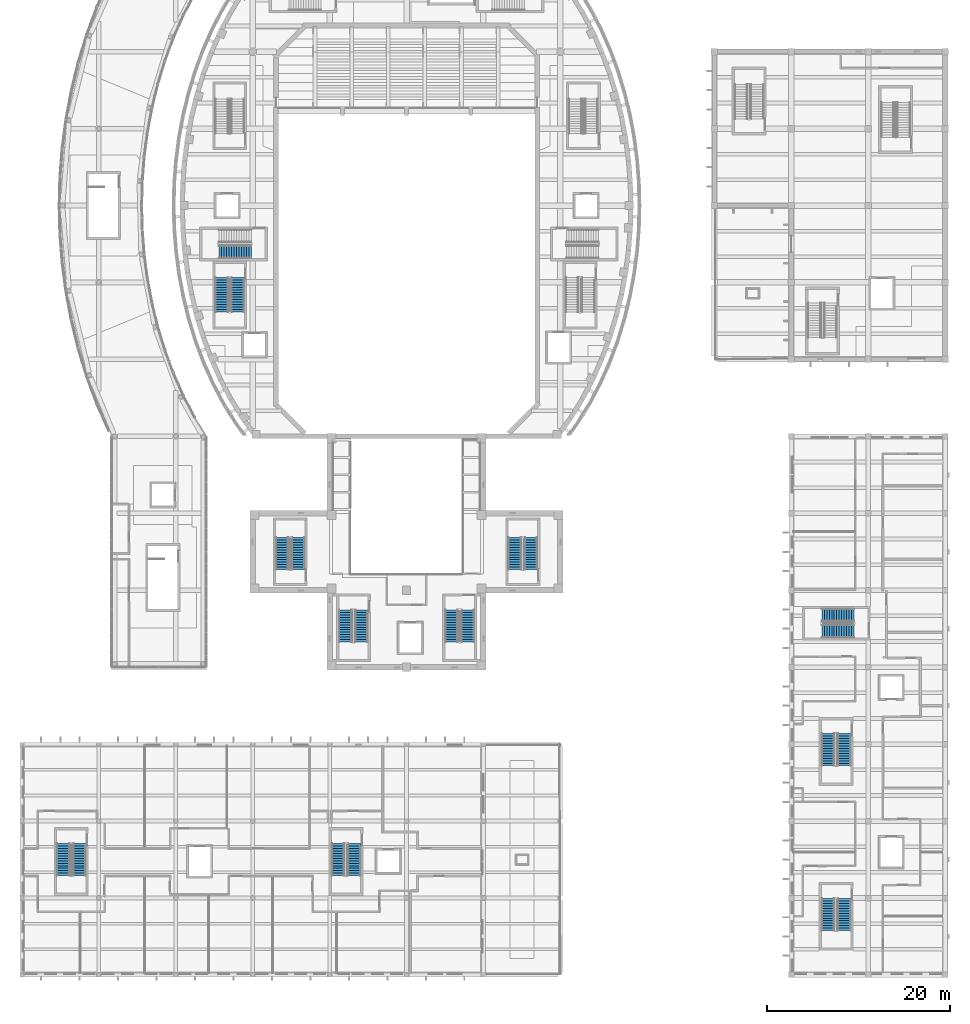
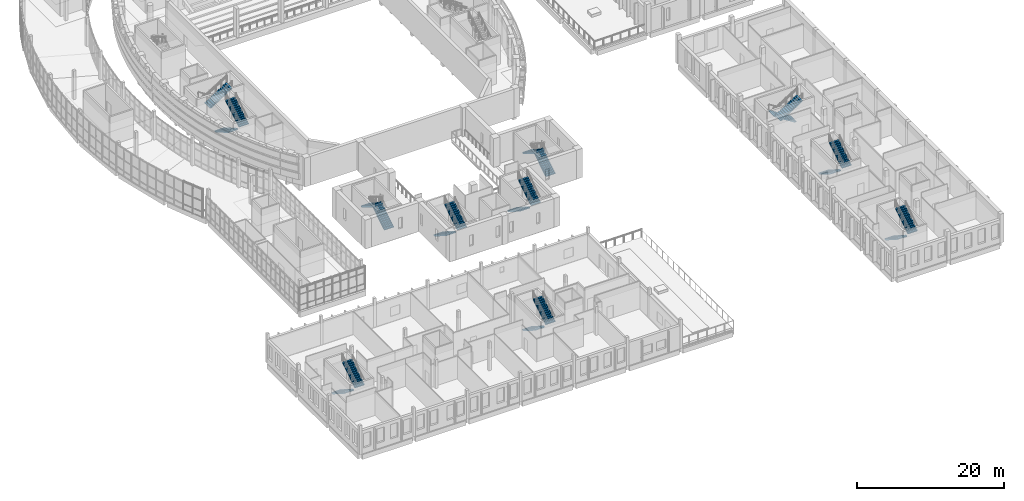
# One storey, part 64 of 103: 21 stair flights, 11 elements without a shape of their own.
"""IFC4 building model written with IfcOpenShell, lengths in metres."""

from ifc_helpers import new_model, si_unit, direction, frame, origin, place, context, subcontext, project, spatial, polyline, outline, extrude, material, type_object, element, aggregate, save


model = new_model("IFC4")

# Units and contexts
model_context = context("Model", 3, precision=1e-05, world=origin(), true_north=direction((0.0, 1.0)))
body_context = subcontext(model_context, "Body", "Model", "MODEL_VIEW")
ifc_project = project(units=[si_unit("LENGTHUNIT", "METRE"), si_unit("AREAUNIT", "SQUARE_METRE"), si_unit("VOLUMEUNIT", "CUBIC_METRE"), si_unit("PLANEANGLEUNIT", "RADIAN"), si_unit("MASSUNIT", "GRAM", prefix="KILO")], contexts=[model_context])

# Site, building, storey
site_placement = place(None, origin())
site = spatial("IfcSite", under=ifc_project, at=site_placement, CompositionType="ELEMENT")
building_placement = place(site_placement, origin())
building = spatial("IfcBuilding", under=site, at=building_placement, Name="Larchfold Concert Hall", CompositionType="ELEMENT")
storey_placement = place(building_placement, frame((0.0, 0.0, 9.60009765625)))
storey = spatial("IfcBuildingStorey", under=building, at=storey_placement, Name="L02", CompositionType="ELEMENT", Elevation=9.60009765625)

# Stair, stair flights
ifc_material_1 = material(Name="Concrete C35/45", Category="concrete")
stair_type = type_object("IfcStairType", Name="Stair RC half-turn enclosed", PredefinedType="HALF_TURN_STAIR", material=ifc_material_1)
stair_1_placement = place(storey_placement, origin())
stair_1 = element("IfcStair", 1, at=stair_1_placement, inside=storey, type_object=stair_type, Name="Stair DS5", PredefinedType="HALF_TURN_STAIR")
ifc_material_2 = material(Name="Concrete C35/45", Category="concrete")
stair_flight_type_1 = type_object("IfcStairFlightType", Name="Stair flight RC 1500 x 160.0", PredefinedType="STRAIGHT", material=ifc_material_2)
stair_flight_1_placement = place(storey_placement, frame((22.449951171875, 76.75, 0.0), z_axis=(0.0, 0.0, 1.0), x_axis=(0.0, -1.0, 0.0)))
stair_flight_1 = element("IfcStairFlight", 2, at=stair_flight_1_placement, type_object=stair_flight_type_1, Name="ST05 flight 1", NumberOfRisers=15, NumberOfTreads=14, PredefinedType="STRAIGHT", RiserHeight=0.16, TreadLength=0.27, context=body_context, shape_type="SweptSolid", body=[
    extrude(outline(polyline([(0.0, 0.0), (0.0, 0.159912109375), (0.27001953125, 0.159912109375), (0.27001953125, 0.320068359375), (0.5400390625, 0.320068359375), (0.5400390625, 0.47998046875), (0.81005859375, 0.47998046875), (0.81005859375, 0.639892578125), (1.080078125, 0.639892578125), (1.080078125, 0.800048828125), (1.35009765625, 0.800048828125), (1.35009765625, 0.9599609375), (1.6201171875, 0.9599609375), (1.6201171875, 1.1201171875), (1.889892578125, 1.1201171875), (1.889892578125, 1.280029296875), (2.159912109375, 1.280029296875), (2.159912109375, 1.43994140625), (2.429931640625, 1.43994140625), (2.429931640625, 1.60009765625), (2.699951171875, 1.60009765625), (2.699951171875, 1.760009765625), (2.969970703125, 1.760009765625), (2.969970703125, 1.919921875), (3.239990234375, 1.919921875), (3.239990234375, 2.080078125), (3.510009765625, 2.080078125), (3.510009765625, 2.239990234375), (3.780029296875, 2.239990234375), (3.780029296875, 2.39990234375), (3.780029296875, 2.065673828125), (0.2939453125, 0.0), (0.0, 0.0)])), frame((0.0, 0.75, 0.0), z_axis=(0.0, -1.0, 0.0), x_axis=(1.0, 0.0, 0.0)), (0.0, 0.0, 1.0), 1.5),
])
stair_flight_2_placement = place(storey_placement, frame((24.14990234375, 72.969970703125, 2.39990234375), z_axis=(0.0, 0.0, 1.0), x_axis=(0.0, 1.0, 0.0)))
stair_flight_2 = element("IfcStairFlight", 3, at=stair_flight_2_placement, type_object=stair_flight_type_1, Name="ST05 flight 2", NumberOfRisers=15, NumberOfTreads=14, PredefinedType="STRAIGHT", RiserHeight=0.16, TreadLength=0.27, context=body_context, shape_type="SweptSolid", body=[
    extrude(outline(polyline([(0.0, 0.0), (0.0, 0.159912109375), (0.27001953125, 0.159912109375), (0.27001953125, 0.320068359375), (0.5400390625, 0.320068359375), (0.5400390625, 0.47998046875), (0.81005859375, 0.47998046875), (0.81005859375, 0.639892578125), (1.080078125, 0.639892578125), (1.080078125, 0.800048828125), (1.35009765625, 0.800048828125), (1.35009765625, 0.9599609375), (1.6201171875, 0.9599609375), (1.6201171875, 1.1201171875), (1.889892578125, 1.1201171875), (1.889892578125, 1.280029296875), (2.159912109375, 1.280029296875), (2.159912109375, 1.43994140625), (2.429931640625, 1.43994140625), (2.429931640625, 1.60009765625), (2.699951171875, 1.60009765625), (2.699951171875, 1.760009765625), (2.969970703125, 1.760009765625), (2.969970703125, 1.919921875), (3.239990234375, 1.919921875), (3.239990234375, 2.080078125), (3.510009765625, 2.080078125), (3.510009765625, 2.239990234375), (3.780029296875, 2.239990234375), (3.780029296875, 2.39990234375), (3.780029296875, 2.065673828125), (0.2939453125, 0.0), (0.0, 0.0)])), frame((0.0, 0.75, 0.0), z_axis=(0.0, -1.0, 0.0), x_axis=(1.0, 0.0, 0.0)), (0.0, 0.0, 1.0), 1.5),
])
aggregate(stair_1, [stair_flight_1, stair_flight_2])

# Stair, stair flight
stair_2_placement = place(storey_placement, origin())
stair_2 = element("IfcStair", 4, at=stair_2_placement, inside=storey, type_object=stair_type, Name="Stair DS7", PredefinedType="HALF_TURN_STAIR")
ifc_material_3 = material(Name="Concrete C35/45", Category="concrete")
stair_flight_type_2 = type_object("IfcStairFlightType", Name="Stair flight RC 1500 x 171.4", PredefinedType="STRAIGHT", material=ifc_material_3)
stair_flight_3_placement = place(storey_placement, frame((22.139892578125, 79.550048828125, 2.39990234375), z_axis=(0.0, 0.0, 1.0), x_axis=(1.0, 0.0, 0.0)))
stair_flight_3 = element("IfcStairFlight", 5, at=stair_flight_3_placement, type_object=stair_flight_type_2, Name="ST07 flight 2", NumberOfRisers=14, NumberOfTreads=13, PredefinedType="STRAIGHT", RiserHeight=0.171428571, TreadLength=0.27, context=body_context, shape_type="SweptSolid", body=[
    extrude(outline(polyline([(0.0, 0.0), (0.0, 0.17138671875), (0.27001953125, 0.17138671875), (0.27001953125, 0.3427734375), (0.5400390625, 0.3427734375), (0.5400390625, 0.514404296875), (0.81005859375, 0.514404296875), (0.81005859375, 0.685791015625), (1.080078125, 0.685791015625), (1.080078125, 0.857177734375), (1.35009765625, 0.857177734375), (1.35009765625, 1.028564453125), (1.6201171875, 1.028564453125), (1.6201171875, 1.199951171875), (1.889892578125, 1.199951171875), (1.889892578125, 1.371337890625), (2.159912109375, 1.371337890625), (2.159912109375, 1.54296875), (2.429931640625, 1.54296875), (2.429931640625, 1.71435546875), (2.699951171875, 1.71435546875), (2.699951171875, 1.8857421875), (2.969970703125, 1.8857421875), (2.969970703125, 2.05712890625), (3.239990234375, 2.05712890625), (3.239990234375, 2.228515625), (3.510009765625, 2.228515625), (3.510009765625, 2.39990234375), (3.510009765625, 2.051025390625), (0.27978515625, 0.0), (0.0, 0.0)])), frame((0.0, 0.75, 0.0), z_axis=(0.0, -1.0, 0.0), x_axis=(1.0, 0.0, 0.0)), (0.0, 0.0, 1.0), 1.5),
])
aggregate(stair_2, [stair_flight_3])

# Stair, stair flights
stair_3_placement = place(storey_placement, origin())
stair_3 = element("IfcStair", 6, at=stair_3_placement, inside=storey, type_object=stair_type, Name="Stair SH1", PredefinedType="HALF_TURN_STAIR")
stair_flight_4_placement = place(storey_placement, frame((30.75, 44.85009765625, 0.0), z_axis=(0.0, 0.0, 1.0), x_axis=(0.0, 1.0, 0.0)))
stair_flight_4 = element("IfcStairFlight", 7, at=stair_flight_4_placement, type_object=stair_flight_type_2, Name="ST09 flight 1", NumberOfRisers=14, NumberOfTreads=13, PredefinedType="STRAIGHT", RiserHeight=0.171428571, TreadLength=0.27, context=body_context, shape_type="SweptSolid", body=[
    extrude(outline(polyline([(0.0, 0.0), (0.0, 0.17138671875), (0.27001953125, 0.17138671875), (0.27001953125, 0.3427734375), (0.5400390625, 0.3427734375), (0.5400390625, 0.514404296875), (0.81005859375, 0.514404296875), (0.81005859375, 0.685791015625), (1.080078125, 0.685791015625), (1.080078125, 0.857177734375), (1.35009765625, 0.857177734375), (1.35009765625, 1.028564453125), (1.6201171875, 1.028564453125), (1.6201171875, 1.199951171875), (1.889892578125, 1.199951171875), (1.889892578125, 1.371337890625), (2.159912109375, 1.371337890625), (2.159912109375, 1.54296875), (2.429931640625, 1.54296875), (2.429931640625, 1.71435546875), (2.699951171875, 1.71435546875), (2.699951171875, 1.8857421875), (2.969970703125, 1.8857421875), (2.969970703125, 2.05712890625), (3.239990234375, 2.05712890625), (3.239990234375, 2.228515625), (3.510009765625, 2.228515625), (3.510009765625, 2.39990234375), (3.510009765625, 2.051025390625), (0.27978515625, 0.0), (0.0, 0.0)])), frame((0.0, 0.75, 0.0), z_axis=(0.0, -1.0, 0.0), x_axis=(1.0, 0.0, 0.0)), (0.0, 0.0, 1.0), 1.5),
])
stair_flight_5_placement = place(storey_placement, frame((29.050048828125, 48.360107421875, 2.39990234375), z_axis=(0.0, 0.0, 1.0), x_axis=(0.0, -1.0, 0.0)))
stair_flight_5 = element("IfcStairFlight", 8, at=stair_flight_5_placement, type_object=stair_flight_type_2, Name="ST09 flight 2", NumberOfRisers=14, NumberOfTreads=13, PredefinedType="STRAIGHT", RiserHeight=0.171428571, TreadLength=0.27, context=body_context, shape_type="SweptSolid", body=[
    extrude(outline(polyline([(0.0, 0.0), (0.0, 0.17138671875), (0.27001953125, 0.17138671875), (0.27001953125, 0.3427734375), (0.5400390625, 0.3427734375), (0.5400390625, 0.514404296875), (0.81005859375, 0.514404296875), (0.81005859375, 0.685791015625), (1.080078125, 0.685791015625), (1.080078125, 0.857177734375), (1.35009765625, 0.857177734375), (1.35009765625, 1.028564453125), (1.6201171875, 1.028564453125), (1.6201171875, 1.199951171875), (1.889892578125, 1.199951171875), (1.889892578125, 1.371337890625), (2.159912109375, 1.371337890625), (2.159912109375, 1.54296875), (2.429931640625, 1.54296875), (2.429931640625, 1.71435546875), (2.699951171875, 1.71435546875), (2.699951171875, 1.8857421875), (2.969970703125, 1.8857421875), (2.969970703125, 2.05712890625), (3.239990234375, 2.05712890625), (3.239990234375, 2.228515625), (3.510009765625, 2.228515625), (3.510009765625, 2.39990234375), (3.510009765625, 2.051025390625), (0.27978515625, 0.0), (0.0, 0.0)])), frame((0.0, 0.75, 0.0), z_axis=(0.0, -1.0, 0.0), x_axis=(1.0, 0.0, 0.0)), (0.0, 0.0, 1.0), 1.5),
])
aggregate(stair_3, [stair_flight_4, stair_flight_5])

stair_4_placement = place(storey_placement, origin())
stair_4 = element("IfcStair", 9, at=stair_4_placement, inside=storey, type_object=stair_type, Name="Stair SH2", PredefinedType="HALF_TURN_STAIR")
stair_flight_6_placement = place(storey_placement, frame((56.14990234375, 44.85009765625, 0.0), z_axis=(0.0, 0.0, 1.0), x_axis=(0.0, 1.0, 0.0)))
stair_flight_6 = element("IfcStairFlight", 10, at=stair_flight_6_placement, type_object=stair_flight_type_2, Name="ST10 flight 1", NumberOfRisers=14, NumberOfTreads=13, PredefinedType="STRAIGHT", RiserHeight=0.171428571, TreadLength=0.27, context=body_context, shape_type="SweptSolid", body=[
    extrude(outline(polyline([(0.0, 0.0), (0.0, 0.17138671875), (0.27001953125, 0.17138671875), (0.27001953125, 0.3427734375), (0.5400390625, 0.3427734375), (0.5400390625, 0.514404296875), (0.81005859375, 0.514404296875), (0.81005859375, 0.685791015625), (1.080078125, 0.685791015625), (1.080078125, 0.857177734375), (1.35009765625, 0.857177734375), (1.35009765625, 1.028564453125), (1.6201171875, 1.028564453125), (1.6201171875, 1.199951171875), (1.889892578125, 1.199951171875), (1.889892578125, 1.371337890625), (2.159912109375, 1.371337890625), (2.159912109375, 1.54296875), (2.429931640625, 1.54296875), (2.429931640625, 1.71435546875), (2.699951171875, 1.71435546875), (2.699951171875, 1.8857421875), (2.969970703125, 1.8857421875), (2.969970703125, 2.05712890625), (3.239990234375, 2.05712890625), (3.239990234375, 2.228515625), (3.510009765625, 2.228515625), (3.510009765625, 2.39990234375), (3.510009765625, 2.051025390625), (0.27978515625, 0.0), (0.0, 0.0)])), frame((0.0, 0.75, 0.0), z_axis=(0.0, -1.0, 0.0), x_axis=(1.0, 0.0, 0.0)), (0.0, 0.0, 1.0), 1.5),
])
stair_flight_7_placement = place(storey_placement, frame((54.449951171875, 48.360107421875, 2.39990234375), z_axis=(0.0, 0.0, 1.0), x_axis=(0.0, -1.0, 0.0)))
stair_flight_7 = element("IfcStairFlight", 11, at=stair_flight_7_placement, type_object=stair_flight_type_2, Name="ST10 flight 2", NumberOfRisers=14, NumberOfTreads=13, PredefinedType="STRAIGHT", RiserHeight=0.171428571, TreadLength=0.27, context=body_context, shape_type="SweptSolid", body=[
    extrude(outline(polyline([(0.0, 0.0), (0.0, 0.17138671875), (0.27001953125, 0.17138671875), (0.27001953125, 0.3427734375), (0.5400390625, 0.3427734375), (0.5400390625, 0.514404296875), (0.81005859375, 0.514404296875), (0.81005859375, 0.685791015625), (1.080078125, 0.685791015625), (1.080078125, 0.857177734375), (1.35009765625, 0.857177734375), (1.35009765625, 1.028564453125), (1.6201171875, 1.028564453125), (1.6201171875, 1.199951171875), (1.889892578125, 1.199951171875), (1.889892578125, 1.371337890625), (2.159912109375, 1.371337890625), (2.159912109375, 1.54296875), (2.429931640625, 1.54296875), (2.429931640625, 1.71435546875), (2.699951171875, 1.71435546875), (2.699951171875, 1.8857421875), (2.969970703125, 1.8857421875), (2.969970703125, 2.05712890625), (3.239990234375, 2.05712890625), (3.239990234375, 2.228515625), (3.510009765625, 2.228515625), (3.510009765625, 2.39990234375), (3.510009765625, 2.051025390625), (0.27978515625, 0.0), (0.0, 0.0)])), frame((0.0, 0.75, 0.0), z_axis=(0.0, -1.0, 0.0), x_axis=(1.0, 0.0, 0.0)), (0.0, 0.0, 1.0), 1.5),
])
aggregate(stair_4, [stair_flight_6, stair_flight_7])

stair_5_placement = place(storey_placement, origin())
stair_5 = element("IfcStair", 12, at=stair_5_placement, inside=storey, type_object=stair_type, Name="Stair SH3", PredefinedType="HALF_TURN_STAIR")
stair_flight_8_placement = place(storey_placement, frame((35.949951171875, 40.449951171875, 0.0), z_axis=(0.0, 0.0, 1.0), x_axis=(0.0, -1.0, 0.0)))
stair_flight_8 = element("IfcStairFlight", 13, at=stair_flight_8_placement, type_object=stair_flight_type_2, Name="ST11 flight 1", NumberOfRisers=14, NumberOfTreads=13, PredefinedType="STRAIGHT", RiserHeight=0.171428571, TreadLength=0.27, context=body_context, shape_type="SweptSolid", body=[
    extrude(outline(polyline([(0.0, 0.0), (0.0, 0.17138671875), (0.27001953125, 0.17138671875), (0.27001953125, 0.3427734375), (0.5400390625, 0.3427734375), (0.5400390625, 0.514404296875), (0.81005859375, 0.514404296875), (0.81005859375, 0.685791015625), (1.080078125, 0.685791015625), (1.080078125, 0.857177734375), (1.35009765625, 0.857177734375), (1.35009765625, 1.028564453125), (1.6201171875, 1.028564453125), (1.6201171875, 1.199951171875), (1.889892578125, 1.199951171875), (1.889892578125, 1.371337890625), (2.159912109375, 1.371337890625), (2.159912109375, 1.54296875), (2.429931640625, 1.54296875), (2.429931640625, 1.71435546875), (2.699951171875, 1.71435546875), (2.699951171875, 1.8857421875), (2.969970703125, 1.8857421875), (2.969970703125, 2.05712890625), (3.239990234375, 2.05712890625), (3.239990234375, 2.228515625), (3.510009765625, 2.228515625), (3.510009765625, 2.39990234375), (3.510009765625, 2.051025390625), (0.27978515625, 0.0), (0.0, 0.0)])), frame((0.0, 0.75, 0.0), z_axis=(0.0, -1.0, 0.0), x_axis=(1.0, 0.0, 0.0)), (0.0, 0.0, 1.0), 1.5),
])
stair_flight_9_placement = place(storey_placement, frame((37.64990234375, 36.93994140625, 2.39990234375), z_axis=(0.0, 0.0, 1.0), x_axis=(0.0, 1.0, 0.0)))
stair_flight_9 = element("IfcStairFlight", 14, at=stair_flight_9_placement, type_object=stair_flight_type_2, Name="ST11 flight 2", NumberOfRisers=14, NumberOfTreads=13, PredefinedType="STRAIGHT", RiserHeight=0.171428571, TreadLength=0.27, context=body_context, shape_type="SweptSolid", body=[
    extrude(outline(polyline([(0.0, 0.0), (0.0, 0.17138671875), (0.27001953125, 0.17138671875), (0.27001953125, 0.3427734375), (0.5400390625, 0.3427734375), (0.5400390625, 0.514404296875), (0.81005859375, 0.514404296875), (0.81005859375, 0.685791015625), (1.080078125, 0.685791015625), (1.080078125, 0.857177734375), (1.35009765625, 0.857177734375), (1.35009765625, 1.028564453125), (1.6201171875, 1.028564453125), (1.6201171875, 1.199951171875), (1.889892578125, 1.199951171875), (1.889892578125, 1.371337890625), (2.159912109375, 1.371337890625), (2.159912109375, 1.54296875), (2.429931640625, 1.54296875), (2.429931640625, 1.71435546875), (2.699951171875, 1.71435546875), (2.699951171875, 1.8857421875), (2.969970703125, 1.8857421875), (2.969970703125, 2.05712890625), (3.239990234375, 2.05712890625), (3.239990234375, 2.228515625), (3.510009765625, 2.228515625), (3.510009765625, 2.39990234375), (3.510009765625, 2.051025390625), (0.27978515625, 0.0), (0.0, 0.0)])), frame((0.0, 0.75, 0.0), z_axis=(0.0, -1.0, 0.0), x_axis=(1.0, 0.0, 0.0)), (0.0, 0.0, 1.0), 1.5),
])
aggregate(stair_5, [stair_flight_8, stair_flight_9])

stair_6_placement = place(storey_placement, origin())
stair_6 = element("IfcStair", 15, at=stair_6_placement, inside=storey, type_object=stair_type, Name="Stair SH4", PredefinedType="HALF_TURN_STAIR")
stair_flight_10_placement = place(storey_placement, frame((47.550048828125, 40.449951171875, 0.0), z_axis=(0.0, 0.0, 1.0), x_axis=(0.0, -1.0, 0.0)))
stair_flight_10 = element("IfcStairFlight", 16, at=stair_flight_10_placement, type_object=stair_flight_type_2, Name="ST12 flight 1", NumberOfRisers=14, NumberOfTreads=13, PredefinedType="STRAIGHT", RiserHeight=0.171428571, TreadLength=0.27, context=body_context, shape_type="SweptSolid", body=[
    extrude(outline(polyline([(0.0, 0.0), (0.0, 0.17138671875), (0.27001953125, 0.17138671875), (0.27001953125, 0.3427734375), (0.5400390625, 0.3427734375), (0.5400390625, 0.514404296875), (0.81005859375, 0.514404296875), (0.81005859375, 0.685791015625), (1.080078125, 0.685791015625), (1.080078125, 0.857177734375), (1.35009765625, 0.857177734375), (1.35009765625, 1.028564453125), (1.6201171875, 1.028564453125), (1.6201171875, 1.199951171875), (1.889892578125, 1.199951171875), (1.889892578125, 1.371337890625), (2.159912109375, 1.371337890625), (2.159912109375, 1.54296875), (2.429931640625, 1.54296875), (2.429931640625, 1.71435546875), (2.699951171875, 1.71435546875), (2.699951171875, 1.8857421875), (2.969970703125, 1.8857421875), (2.969970703125, 2.05712890625), (3.239990234375, 2.05712890625), (3.239990234375, 2.228515625), (3.510009765625, 2.228515625), (3.510009765625, 2.39990234375), (3.510009765625, 2.051025390625), (0.27978515625, 0.0), (0.0, 0.0)])), frame((0.0, 0.75, 0.0), z_axis=(0.0, -1.0, 0.0), x_axis=(1.0, 0.0, 0.0)), (0.0, 0.0, 1.0), 1.5),
])
stair_flight_11_placement = place(storey_placement, frame((49.25, 36.93994140625, 2.39990234375), z_axis=(0.0, 0.0, 1.0), x_axis=(0.0, 1.0, 0.0)))
stair_flight_11 = element("IfcStairFlight", 17, at=stair_flight_11_placement, type_object=stair_flight_type_2, Name="ST12 flight 2", NumberOfRisers=14, NumberOfTreads=13, PredefinedType="STRAIGHT", RiserHeight=0.171428571, TreadLength=0.27, context=body_context, shape_type="SweptSolid", body=[
    extrude(outline(polyline([(0.0, 0.0), (0.0, 0.17138671875), (0.27001953125, 0.17138671875), (0.27001953125, 0.3427734375), (0.5400390625, 0.3427734375), (0.5400390625, 0.514404296875), (0.81005859375, 0.514404296875), (0.81005859375, 0.685791015625), (1.080078125, 0.685791015625), (1.080078125, 0.857177734375), (1.35009765625, 0.857177734375), (1.35009765625, 1.028564453125), (1.6201171875, 1.028564453125), (1.6201171875, 1.199951171875), (1.889892578125, 1.199951171875), (1.889892578125, 1.371337890625), (2.159912109375, 1.371337890625), (2.159912109375, 1.54296875), (2.429931640625, 1.54296875), (2.429931640625, 1.71435546875), (2.699951171875, 1.71435546875), (2.699951171875, 1.8857421875), (2.969970703125, 1.8857421875), (2.969970703125, 2.05712890625), (3.239990234375, 2.05712890625), (3.239990234375, 2.228515625), (3.510009765625, 2.228515625), (3.510009765625, 2.39990234375), (3.510009765625, 2.051025390625), (0.27978515625, 0.0), (0.0, 0.0)])), frame((0.0, 0.75, 0.0), z_axis=(0.0, -1.0, 0.0), x_axis=(1.0, 0.0, 0.0)), (0.0, 0.0, 1.0), 1.5),
])
aggregate(stair_6, [stair_flight_10, stair_flight_11])

stair_7_placement = place(storey_placement, origin())
stair_7 = element("IfcStair", 18, at=stair_7_placement, inside=storey, type_object=stair_type, Name="Stair AW1", PredefinedType="HALF_TURN_STAIR")
stair_flight_12_placement = place(storey_placement, frame((88.64990234375, 8.949951171875, 0.0), z_axis=(0.0, 0.0, 1.0), x_axis=(0.0, -1.0, 0.0)))
stair_flight_12 = element("IfcStairFlight", 19, at=stair_flight_12_placement, type_object=stair_flight_type_2, Name="ST13 flight 1", NumberOfRisers=14, NumberOfTreads=13, PredefinedType="STRAIGHT", RiserHeight=0.171428571, TreadLength=0.27, context=body_context, shape_type="SweptSolid", body=[
    extrude(outline(polyline([(0.0, 0.0), (0.0, 0.17138671875), (0.27001953125, 0.17138671875), (0.27001953125, 0.3427734375), (0.5400390625, 0.3427734375), (0.5400390625, 0.514404296875), (0.81005859375, 0.514404296875), (0.81005859375, 0.685791015625), (1.080078125, 0.685791015625), (1.080078125, 0.857177734375), (1.35009765625, 0.857177734375), (1.35009765625, 1.028564453125), (1.6201171875, 1.028564453125), (1.6201171875, 1.199951171875), (1.889892578125, 1.199951171875), (1.889892578125, 1.371337890625), (2.159912109375, 1.371337890625), (2.159912109375, 1.54296875), (2.429931640625, 1.54296875), (2.429931640625, 1.71435546875), (2.699951171875, 1.71435546875), (2.699951171875, 1.8857421875), (2.969970703125, 1.8857421875), (2.969970703125, 2.05712890625), (3.239990234375, 2.05712890625), (3.239990234375, 2.228515625), (3.510009765625, 2.228515625), (3.510009765625, 2.39990234375), (3.510009765625, 2.051025390625), (0.27978515625, 0.0), (0.0, 0.0)])), frame((0.0, 0.75, 0.0), z_axis=(0.0, -1.0, 0.0), x_axis=(1.0, 0.0, 0.0)), (0.0, 0.0, 1.0), 1.5),
])
stair_flight_13_placement = place(storey_placement, frame((90.349853515625, 5.43994140625, 2.39990234375), z_axis=(0.0, 0.0, 1.0), x_axis=(0.0, 1.0, 0.0)))
stair_flight_13 = element("IfcStairFlight", 20, at=stair_flight_13_placement, type_object=stair_flight_type_2, Name="ST13 flight 2", NumberOfRisers=14, NumberOfTreads=13, PredefinedType="STRAIGHT", RiserHeight=0.171428571, TreadLength=0.27, context=body_context, shape_type="SweptSolid", body=[
    extrude(outline(polyline([(0.0, 0.0), (0.0, 0.17138671875), (0.27001953125, 0.17138671875), (0.27001953125, 0.3427734375), (0.5400390625, 0.3427734375), (0.5400390625, 0.514404296875), (0.81005859375, 0.514404296875), (0.81005859375, 0.685791015625), (1.080078125, 0.685791015625), (1.080078125, 0.857177734375), (1.35009765625, 0.857177734375), (1.35009765625, 1.028564453125), (1.6201171875, 1.028564453125), (1.6201171875, 1.199951171875), (1.889892578125, 1.199951171875), (1.889892578125, 1.371337890625), (2.159912109375, 1.371337890625), (2.159912109375, 1.54296875), (2.429931640625, 1.54296875), (2.429931640625, 1.71435546875), (2.699951171875, 1.71435546875), (2.699951171875, 1.8857421875), (2.969970703125, 1.8857421875), (2.969970703125, 2.05712890625), (3.239990234375, 2.05712890625), (3.239990234375, 2.228515625), (3.510009765625, 2.228515625), (3.510009765625, 2.39990234375), (3.510009765625, 2.051025390625), (0.27978515625, 0.0), (0.0, 0.0)])), frame((0.0, 0.75, 0.0), z_axis=(0.0, -1.0, 0.0), x_axis=(1.0, 0.0, 0.0)), (0.0, 0.0, 1.0), 1.5),
])
aggregate(stair_7, [stair_flight_12, stair_flight_13])

stair_8_placement = place(storey_placement, origin())
stair_8 = element("IfcStair", 21, at=stair_8_placement, inside=storey, type_object=stair_type, Name="Stair AW2", PredefinedType="HALF_TURN_STAIR")
stair_flight_14_placement = place(storey_placement, frame((88.64990234375, 26.949951171875, 0.0), z_axis=(0.0, 0.0, 1.0), x_axis=(0.0, -1.0, 0.0)))
stair_flight_14 = element("IfcStairFlight", 22, at=stair_flight_14_placement, type_object=stair_flight_type_2, Name="ST14 flight 1", NumberOfRisers=14, NumberOfTreads=13, PredefinedType="STRAIGHT", RiserHeight=0.171428571, TreadLength=0.27, context=body_context, shape_type="SweptSolid", body=[
    extrude(outline(polyline([(0.0, 0.0), (0.0, 0.17138671875), (0.27001953125, 0.17138671875), (0.27001953125, 0.3427734375), (0.5400390625, 0.3427734375), (0.5400390625, 0.514404296875), (0.81005859375, 0.514404296875), (0.81005859375, 0.685791015625), (1.080078125, 0.685791015625), (1.080078125, 0.857177734375), (1.35009765625, 0.857177734375), (1.35009765625, 1.028564453125), (1.6201171875, 1.028564453125), (1.6201171875, 1.199951171875), (1.889892578125, 1.199951171875), (1.889892578125, 1.371337890625), (2.159912109375, 1.371337890625), (2.159912109375, 1.54296875), (2.429931640625, 1.54296875), (2.429931640625, 1.71435546875), (2.699951171875, 1.71435546875), (2.699951171875, 1.8857421875), (2.969970703125, 1.8857421875), (2.969970703125, 2.05712890625), (3.239990234375, 2.05712890625), (3.239990234375, 2.228515625), (3.510009765625, 2.228515625), (3.510009765625, 2.39990234375), (3.510009765625, 2.051025390625), (0.27978515625, 0.0), (0.0, 0.0)])), frame((0.0, 0.75, 0.0), z_axis=(0.0, -1.0, 0.0), x_axis=(1.0, 0.0, 0.0)), (0.0, 0.0, 1.0), 1.5),
])
stair_flight_15_placement = place(storey_placement, frame((90.349853515625, 23.43994140625, 2.39990234375), z_axis=(0.0, 0.0, 1.0), x_axis=(0.0, 1.0, 0.0)))
stair_flight_15 = element("IfcStairFlight", 23, at=stair_flight_15_placement, type_object=stair_flight_type_2, Name="ST14 flight 2", NumberOfRisers=14, NumberOfTreads=13, PredefinedType="STRAIGHT", RiserHeight=0.171428571, TreadLength=0.27, context=body_context, shape_type="SweptSolid", body=[
    extrude(outline(polyline([(0.0, 0.0), (0.0, 0.17138671875), (0.27001953125, 0.17138671875), (0.27001953125, 0.3427734375), (0.5400390625, 0.3427734375), (0.5400390625, 0.514404296875), (0.81005859375, 0.514404296875), (0.81005859375, 0.685791015625), (1.080078125, 0.685791015625), (1.080078125, 0.857177734375), (1.35009765625, 0.857177734375), (1.35009765625, 1.028564453125), (1.6201171875, 1.028564453125), (1.6201171875, 1.199951171875), (1.889892578125, 1.199951171875), (1.889892578125, 1.371337890625), (2.159912109375, 1.371337890625), (2.159912109375, 1.54296875), (2.429931640625, 1.54296875), (2.429931640625, 1.71435546875), (2.699951171875, 1.71435546875), (2.699951171875, 1.8857421875), (2.969970703125, 1.8857421875), (2.969970703125, 2.05712890625), (3.239990234375, 2.05712890625), (3.239990234375, 2.228515625), (3.510009765625, 2.228515625), (3.510009765625, 2.39990234375), (3.510009765625, 2.051025390625), (0.27978515625, 0.0), (0.0, 0.0)])), frame((0.0, 0.75, 0.0), z_axis=(0.0, -1.0, 0.0), x_axis=(1.0, 0.0, 0.0)), (0.0, 0.0, 1.0), 1.5),
])
aggregate(stair_8, [stair_flight_14, stair_flight_15])

stair_9_placement = place(storey_placement, origin())
stair_9 = element("IfcStair", 24, at=stair_9_placement, inside=storey, type_object=stair_type, Name="Stair AW3", PredefinedType="HALF_TURN_STAIR")
stair_flight_16_placement = place(storey_placement, frame((91.449951171875, 39.85009765625, 0.0), z_axis=(0.0, 0.0, 1.0), x_axis=(-1.0, 0.0, 0.0)))
stair_flight_16 = element("IfcStairFlight", 25, at=stair_flight_16_placement, type_object=stair_flight_type_2, Name="ST15 flight 1", NumberOfRisers=14, NumberOfTreads=13, PredefinedType="STRAIGHT", RiserHeight=0.171428571, TreadLength=0.27, context=body_context, shape_type="SweptSolid", body=[
    extrude(outline(polyline([(0.0, 0.0), (0.0, 0.17138671875), (0.27001953125, 0.17138671875), (0.27001953125, 0.3427734375), (0.5400390625, 0.3427734375), (0.5400390625, 0.514404296875), (0.81005859375, 0.514404296875), (0.81005859375, 0.685791015625), (1.080078125, 0.685791015625), (1.080078125, 0.857177734375), (1.35009765625, 0.857177734375), (1.35009765625, 1.028564453125), (1.6201171875, 1.028564453125), (1.6201171875, 1.199951171875), (1.889892578125, 1.199951171875), (1.889892578125, 1.371337890625), (2.159912109375, 1.371337890625), (2.159912109375, 1.54296875), (2.429931640625, 1.54296875), (2.429931640625, 1.71435546875), (2.699951171875, 1.71435546875), (2.699951171875, 1.8857421875), (2.969970703125, 1.8857421875), (2.969970703125, 2.05712890625), (3.239990234375, 2.05712890625), (3.239990234375, 2.228515625), (3.510009765625, 2.228515625), (3.510009765625, 2.39990234375), (3.510009765625, 2.051025390625), (0.27978515625, 0.0), (0.0, 0.0)])), frame((0.0, 0.75, 0.0), z_axis=(0.0, -1.0, 0.0), x_axis=(1.0, 0.0, 0.0)), (0.0, 0.0, 1.0), 1.5),
])
stair_flight_17_placement = place(storey_placement, frame((87.93994140625, 38.150146484375, 2.39990234375), z_axis=(0.0, 0.0, 1.0), x_axis=(1.0, 0.0, 0.0)))
stair_flight_17 = element("IfcStairFlight", 26, at=stair_flight_17_placement, type_object=stair_flight_type_2, Name="ST15 flight 2", NumberOfRisers=14, NumberOfTreads=13, PredefinedType="STRAIGHT", RiserHeight=0.171428571, TreadLength=0.27, context=body_context, shape_type="SweptSolid", body=[
    extrude(outline(polyline([(0.0, 0.0), (0.0, 0.17138671875), (0.27001953125, 0.17138671875), (0.27001953125, 0.3427734375), (0.5400390625, 0.3427734375), (0.5400390625, 0.514404296875), (0.81005859375, 0.514404296875), (0.81005859375, 0.685791015625), (1.080078125, 0.685791015625), (1.080078125, 0.857177734375), (1.35009765625, 0.857177734375), (1.35009765625, 1.028564453125), (1.6201171875, 1.028564453125), (1.6201171875, 1.199951171875), (1.889892578125, 1.199951171875), (1.889892578125, 1.371337890625), (2.159912109375, 1.371337890625), (2.159912109375, 1.54296875), (2.429931640625, 1.54296875), (2.429931640625, 1.71435546875), (2.699951171875, 1.71435546875), (2.699951171875, 1.8857421875), (2.969970703125, 1.8857421875), (2.969970703125, 2.05712890625), (3.239990234375, 2.05712890625), (3.239990234375, 2.228515625), (3.510009765625, 2.228515625), (3.510009765625, 2.39990234375), (3.510009765625, 2.051025390625), (0.27978515625, 0.0), (0.0, 0.0)])), frame((0.0, 0.75, 0.0), z_axis=(0.0, -1.0, 0.0), x_axis=(1.0, 0.0, 0.0)), (0.0, 0.0, 1.0), 1.5),
])
aggregate(stair_9, [stair_flight_16, stair_flight_17])

stair_10_placement = place(storey_placement, origin())
stair_10 = element("IfcStair", 27, at=stair_10_placement, inside=storey, type_object=stair_type, Name="Stair SW1", PredefinedType="HALF_TURN_STAIR")
stair_flight_18_placement = place(storey_placement, frame((5.14990234375, 14.949951171875, 0.0), z_axis=(0.0, 0.0, 1.0), x_axis=(0.0, -1.0, 0.0)))
stair_flight_18 = element("IfcStairFlight", 28, at=stair_flight_18_placement, type_object=stair_flight_type_2, Name="ST21 flight 1", NumberOfRisers=14, NumberOfTreads=13, PredefinedType="STRAIGHT", RiserHeight=0.171428571, TreadLength=0.27, context=body_context, shape_type="SweptSolid", body=[
    extrude(outline(polyline([(0.0, 0.0), (0.0, 0.17138671875), (0.27001953125, 0.17138671875), (0.27001953125, 0.3427734375), (0.5400390625, 0.3427734375), (0.5400390625, 0.514404296875), (0.81005859375, 0.514404296875), (0.81005859375, 0.685791015625), (1.080078125, 0.685791015625), (1.080078125, 0.857177734375), (1.35009765625, 0.857177734375), (1.35009765625, 1.028564453125), (1.6201171875, 1.028564453125), (1.6201171875, 1.199951171875), (1.889892578125, 1.199951171875), (1.889892578125, 1.371337890625), (2.159912109375, 1.371337890625), (2.159912109375, 1.54296875), (2.429931640625, 1.54296875), (2.429931640625, 1.71435546875), (2.699951171875, 1.71435546875), (2.699951171875, 1.8857421875), (2.969970703125, 1.8857421875), (2.969970703125, 2.05712890625), (3.239990234375, 2.05712890625), (3.239990234375, 2.228515625), (3.510009765625, 2.228515625), (3.510009765625, 2.39990234375), (3.510009765625, 2.051025390625), (0.27978515625, 0.0), (0.0, 0.0)])), frame((0.0, 0.75, 0.0), z_axis=(0.0, -1.0, 0.0), x_axis=(1.0, 0.0, 0.0)), (0.0, 0.0, 1.0), 1.5),
])
stair_flight_19_placement = place(storey_placement, frame((6.849853515625, 11.43994140625, 2.39990234375), z_axis=(0.0, 0.0, 1.0), x_axis=(0.0, 1.0, 0.0)))
stair_flight_19 = element("IfcStairFlight", 29, at=stair_flight_19_placement, type_object=stair_flight_type_2, Name="ST21 flight 2", NumberOfRisers=14, NumberOfTreads=13, PredefinedType="STRAIGHT", RiserHeight=0.171428571, TreadLength=0.27, context=body_context, shape_type="SweptSolid", body=[
    extrude(outline(polyline([(0.0, 0.0), (0.0, 0.17138671875), (0.27001953125, 0.17138671875), (0.27001953125, 0.3427734375), (0.5400390625, 0.3427734375), (0.5400390625, 0.514404296875), (0.81005859375, 0.514404296875), (0.81005859375, 0.685791015625), (1.080078125, 0.685791015625), (1.080078125, 0.857177734375), (1.35009765625, 0.857177734375), (1.35009765625, 1.028564453125), (1.6201171875, 1.028564453125), (1.6201171875, 1.199951171875), (1.889892578125, 1.199951171875), (1.889892578125, 1.371337890625), (2.159912109375, 1.371337890625), (2.159912109375, 1.54296875), (2.429931640625, 1.54296875), (2.429931640625, 1.71435546875), (2.699951171875, 1.71435546875), (2.699951171875, 1.8857421875), (2.969970703125, 1.8857421875), (2.969970703125, 2.05712890625), (3.239990234375, 2.05712890625), (3.239990234375, 2.228515625), (3.510009765625, 2.228515625), (3.510009765625, 2.39990234375), (3.510009765625, 2.051025390625), (0.27978515625, 0.0), (0.0, 0.0)])), frame((0.0, 0.75, 0.0), z_axis=(0.0, -1.0, 0.0), x_axis=(1.0, 0.0, 0.0)), (0.0, 0.0, 1.0), 1.5),
])
aggregate(stair_10, [stair_flight_18, stair_flight_19])

stair_11_placement = place(storey_placement, origin())
stair_11 = element("IfcStair", 30, at=stair_11_placement, inside=storey, type_object=stair_type, Name="Stair SW2", PredefinedType="HALF_TURN_STAIR")
stair_flight_20_placement = place(storey_placement, frame((35.14990234375, 14.949951171875, 0.0), z_axis=(0.0, 0.0, 1.0), x_axis=(0.0, -1.0, 0.0)))
stair_flight_20 = element("IfcStairFlight", 31, at=stair_flight_20_placement, type_object=stair_flight_type_2, Name="ST22 flight 1", NumberOfRisers=14, NumberOfTreads=13, PredefinedType="STRAIGHT", RiserHeight=0.171428571, TreadLength=0.27, context=body_context, shape_type="SweptSolid", body=[
    extrude(outline(polyline([(0.0, 0.0), (0.0, 0.17138671875), (0.27001953125, 0.17138671875), (0.27001953125, 0.3427734375), (0.5400390625, 0.3427734375), (0.5400390625, 0.514404296875), (0.81005859375, 0.514404296875), (0.81005859375, 0.685791015625), (1.080078125, 0.685791015625), (1.080078125, 0.857177734375), (1.35009765625, 0.857177734375), (1.35009765625, 1.028564453125), (1.6201171875, 1.028564453125), (1.6201171875, 1.199951171875), (1.889892578125, 1.199951171875), (1.889892578125, 1.371337890625), (2.159912109375, 1.371337890625), (2.159912109375, 1.54296875), (2.429931640625, 1.54296875), (2.429931640625, 1.71435546875), (2.699951171875, 1.71435546875), (2.699951171875, 1.8857421875), (2.969970703125, 1.8857421875), (2.969970703125, 2.05712890625), (3.239990234375, 2.05712890625), (3.239990234375, 2.228515625), (3.510009765625, 2.228515625), (3.510009765625, 2.39990234375), (3.510009765625, 2.051025390625), (0.27978515625, 0.0), (0.0, 0.0)])), frame((0.0, 0.75, 0.0), z_axis=(0.0, -1.0, 0.0), x_axis=(1.0, 0.0, 0.0)), (0.0, 0.0, 1.0), 1.5),
])
stair_flight_21_placement = place(storey_placement, frame((36.849853515625, 11.43994140625, 2.39990234375), z_axis=(0.0, 0.0, 1.0), x_axis=(0.0, 1.0, 0.0)))
stair_flight_21 = element("IfcStairFlight", 32, at=stair_flight_21_placement, type_object=stair_flight_type_2, Name="ST22 flight 2", NumberOfRisers=14, NumberOfTreads=13, PredefinedType="STRAIGHT", RiserHeight=0.171428571, TreadLength=0.27, context=body_context, shape_type="SweptSolid", body=[
    extrude(outline(polyline([(0.0, 0.0), (0.0, 0.17138671875), (0.27001953125, 0.17138671875), (0.27001953125, 0.3427734375), (0.5400390625, 0.3427734375), (0.5400390625, 0.514404296875), (0.81005859375, 0.514404296875), (0.81005859375, 0.685791015625), (1.080078125, 0.685791015625), (1.080078125, 0.857177734375), (1.35009765625, 0.857177734375), (1.35009765625, 1.028564453125), (1.6201171875, 1.028564453125), (1.6201171875, 1.199951171875), (1.889892578125, 1.199951171875), (1.889892578125, 1.371337890625), (2.159912109375, 1.371337890625), (2.159912109375, 1.54296875), (2.429931640625, 1.54296875), (2.429931640625, 1.71435546875), (2.699951171875, 1.71435546875), (2.699951171875, 1.8857421875), (2.969970703125, 1.8857421875), (2.969970703125, 2.05712890625), (3.239990234375, 2.05712890625), (3.239990234375, 2.228515625), (3.510009765625, 2.228515625), (3.510009765625, 2.39990234375), (3.510009765625, 2.051025390625), (0.27978515625, 0.0), (0.0, 0.0)])), frame((0.0, 0.75, 0.0), z_axis=(0.0, -1.0, 0.0), x_axis=(1.0, 0.0, 0.0)), (0.0, 0.0, 1.0), 1.5),
])
aggregate(stair_11, [stair_flight_20, stair_flight_21])

save(model, "model.ifc")
